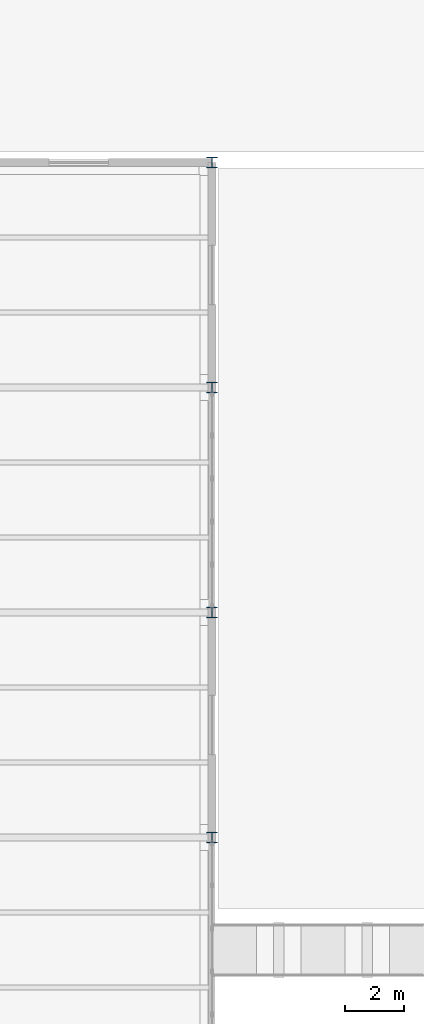
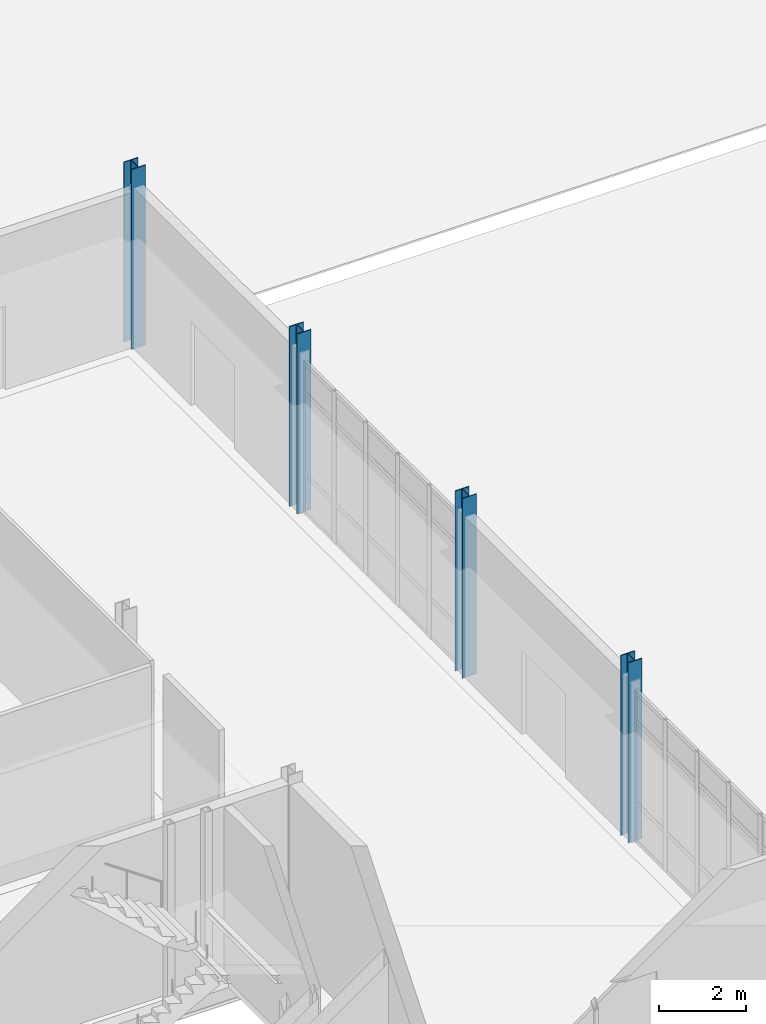
# One storey, part 13 of 161: 4 columns.
"""IFC4 building model written with IfcOpenShell, lengths in metres."""

from ifc_helpers import new_model, si_unit, direction, frame, origin, origin_2d, place, context, subcontext, project, spatial, i_section, extrude, material, material_profile, profile_set, type_object, element, save


model = new_model("IFC4")

# Units and contexts
model_context = context("Model", 3, precision=1e-05, world=origin(), true_north=direction((0.0, 1.0)))
body_context = subcontext(model_context, "Body", "Model", "MODEL_VIEW")
ifc_project = project(units=[si_unit("LENGTHUNIT", "METRE"), si_unit("AREAUNIT", "SQUARE_METRE"), si_unit("VOLUMEUNIT", "CUBIC_METRE"), si_unit("PLANEANGLEUNIT", "RADIAN"), si_unit("MASSUNIT", "GRAM", prefix="KILO")], contexts=[model_context])

# Site, building, storey
site_placement = place(None, origin())
site = spatial("IfcSite", under=ifc_project, at=site_placement, CompositionType="ELEMENT")
building_placement = place(site_placement, origin())
building = spatial("IfcBuilding", under=site, at=building_placement, Name="Caisbarro Railhouse Central Library", CompositionType="ELEMENT")
storey_placement = place(building_placement, origin())
storey = spatial("IfcBuildingStorey", under=building, at=storey_placement, Name="L00", CompositionType="ELEMENT", Elevation=0.0)

# Columns
ifc_material = material(Name="Steel ASTM A572 Grade 50", Category="steel")
ifc_material_profile = material_profile(ifc_material, i_section(OverallWidth=0.37109375, OverallDepth=0.364013671875, WebThickness=0.01318359375, FlangeThickness=0.021728515625, FilletRadius=0.01806640625, at=origin_2d()), Name="W360X162.0")
ifc_profile_set = profile_set([ifc_material_profile], Name="Steel ASTM A572 Grade 50")
column_type = type_object("IfcColumnType", Name="COL-C02", PredefinedType="COLUMN", material=ifc_profile_set)
for number, where, z_axis, x_axis, name in (
    (1, (72.0, 38.0, 0.0), (0.0, 0.0, 1.0), (1.0, 0.0, 0.0), "C02 column L00 (72.0,38.0)"),
    (2, (72.0, 45.60009765625, 0.0), (0.0, 0.0, 1.0), (1.0, 0.0, 0.0), "C02 column L00 (72.0,45.6)"),
    (3, (72.0, 53.199951171875, 0.0), (0.0, 0.0, 1.0), (1.0, 0.0, 0.0), "C02 column L00 (72.0,53.2)"),
    (4, (72.0, 60.800048828125, 0.0), (0.0, 0.0, 1.0), (1.0, 0.0, 0.0), "C02 column L00 (72.0,60.8)"),
):
    element("IfcColumn", number, at=place(storey_placement, frame(where, z_axis=z_axis, x_axis=x_axis)), inside=storey, type_object=column_type, Name=name, PredefinedType="COLUMN", context=body_context, shape_type="SweptSolid", body=[
        extrude(i_section(OverallWidth=0.37109375, OverallDepth=0.364013671875, WebThickness=0.01318359375, FlangeThickness=0.021728515625, FilletRadius=0.01806640625, at=origin_2d()), origin(), (0.0, 0.0, 1.0), 5.0400390625),
    ])

save(model, "model.ifc")
